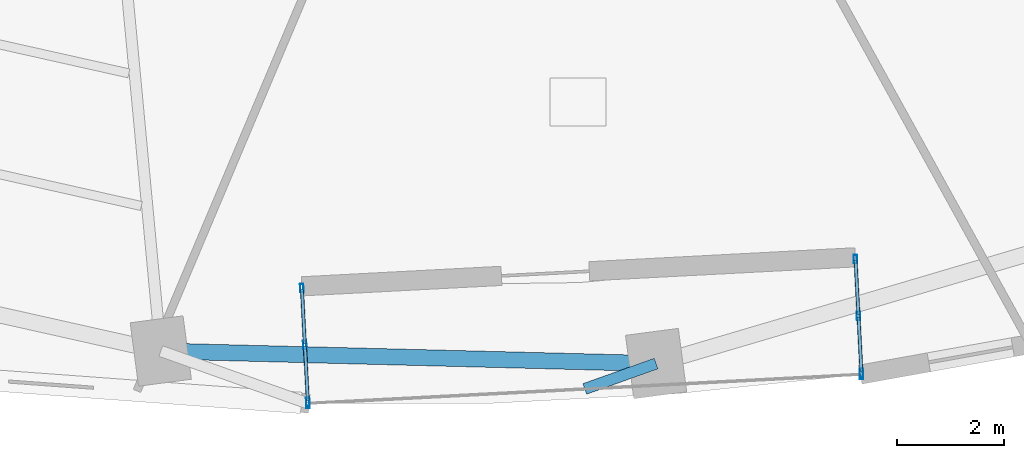
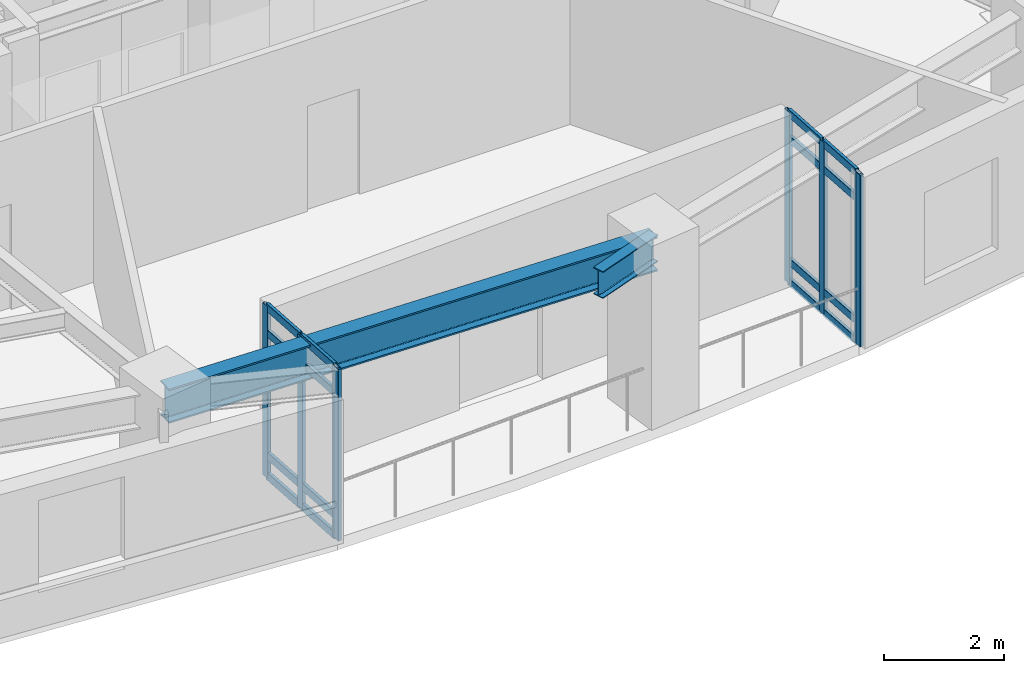
# One storey, part 2 of 11: 24 members, 2 beams, 2 elements without a shape of their own.
"""IFC4 building model written with IfcOpenShell, lengths in metres."""

from ifc_helpers import new_model, si_unit, direction, frame, origin, origin_2d, place, context, subcontext, project, spatial, hollow_rectangle, i_section, extrude, material, layer, layer_set, material_profile, profile_set, type_object, element, aggregate, save


model = new_model("IFC4")

# Units and contexts
model_context = context("Model", 3, precision=1e-05, world=origin(), true_north=direction((0.0, 1.0)))
body_context = subcontext(model_context, "Body", "Model", "MODEL_VIEW")
ifc_project = project(units=[si_unit("LENGTHUNIT", "METRE"), si_unit("AREAUNIT", "SQUARE_METRE"), si_unit("VOLUMEUNIT", "CUBIC_METRE"), si_unit("PLANEANGLEUNIT", "RADIAN"), si_unit("MASSUNIT", "GRAM", prefix="KILO")], contexts=[model_context])

# Site, building, storey
site_placement = place(None, origin())
site = spatial("IfcSite", under=ifc_project, at=site_placement, CompositionType="ELEMENT")
building_placement = place(site_placement, origin())
building = spatial("IfcBuilding", under=site, at=building_placement, Name="Ndelora Gate Hotel", CompositionType="ELEMENT")
storey_placement = place(building_placement, frame((0.0, 0.0, 45.5)))
storey = spatial("IfcBuildingStorey", under=building, at=storey_placement, Name="L10", CompositionType="ELEMENT", Elevation=45.5)

# Beams
ifc_material_1 = material(Name="Steel S355", Category="steel")
ifc_material_profile_1 = material_profile(ifc_material_1, i_section(OverallWidth=0.2099609375, OverallDepth=0.550048828125, WebThickness=0.010986328125, FlangeThickness=0.01708984375, FilletRadius=0.02392578125, at=origin_2d()), Name="IPE 550")
ifc_profile_set_1 = profile_set([ifc_material_profile_1], Name="Steel S355")
beam_type_1 = type_object("IfcBeamType", Name="BM-RAD-550", PredefinedType="BEAM", material=ifc_profile_set_1)
beam_1_placement = place(storey_placement, frame((2.2646484375, -17.20166015625, 3.22509765625), z_axis=(-0.942203837473, -0.335040189607, 0.0), x_axis=(0.335040189607, -0.942203837473, 0.0)))
element("IfcBeam", 1, at=beam_1_placement, inside=storey, type_object=beam_type_1, Name="L10 Sky-Garden Loggia Column Bracket 2", PredefinedType="BEAM", context=body_context, shape_type="SweptSolid", body=[
    extrude(i_section(OverallWidth=0.2099609375, OverallDepth=0.550048828125, WebThickness=0.010986328125, FlangeThickness=0.01708984375, FilletRadius=0.02392578125, at=origin_2d()), origin(), (0.0, 0.0, 1.0), 1.420166015625),
])
ifc_material_profile_2 = material_profile(ifc_material_1, i_section(OverallWidth=0.300048828125, OverallDepth=0.699951171875, WebThickness=0.01708984375, FlangeThickness=0.031982421875, FilletRadius=0.027099609375, at=origin_2d()), Name="HEB 700")
ifc_profile_set_2 = profile_set([ifc_material_profile_2], Name="Steel S355")
beam_type_2 = type_object("IfcBeamType", Name="BM-RING-700", PredefinedType="SPANDREL", material=ifc_profile_set_2)
beam_2_placement = place(storey_placement, frame((-7.027587890625, -16.96630859375, 3.14990234375), z_axis=(0.999679406439, -0.025319643409, 0.0), x_axis=(0.025319643409, 0.999679406439, 0.0)))
element("IfcBeam", 2, at=beam_2_placement, inside=storey, type_object=beam_type_2, Name="L10 Perimeter Spandrel Girder 6", PredefinedType="SPANDREL", context=body_context, shape_type="SweptSolid", body=[
    extrude(i_section(OverallWidth=0.300048828125, OverallDepth=0.699951171875, WebThickness=0.01708984375, FlangeThickness=0.031982421875, FilletRadius=0.027099609375, at=origin_2d()), origin(), (0.0, 0.0, 1.0), 9.295166015625),
])

# Curtain wall, members
ifc_material_2 = material(Name="Bronze Anodised Unitised Aluminium and Low-E Glass", Category="aluminium")
ifc_layer = layer(ifc_material_2, 0.199951171875)
ifc_layer_set = layer_set([ifc_layer], Name="Bronze Anodised Unitised Aluminium and Low-E Glass")
curtain_wall_type = type_object("IfcCurtainWallType", Name="CW-SYS-3", PredefinedType="NOTDEFINED", material=ifc_layer_set)
curtain_wall_1_placement = place(storey_placement, origin())
curtain_wall_1 = element("IfcCurtainWall", 3, at=curtain_wall_1_placement, inside=storey, type_object=curtain_wall_type, Name="L10 Sky-Garden Loggia Side Curtain Wall CW3-1", PredefinedType="NOTDEFINED")
ifc_material_3 = material(Name="Bronze Anodised Aluminium 6063-T6", Category="aluminium")
ifc_material_profile_3 = material_profile(ifc_material_3, hollow_rectangle(XDim=0.06494140625, YDim=0.159912109375, WallThickness=0.00390625, InnerFilletRadius=0.00390625, OuterFilletRadius=0.008056640625, at=origin_2d()), Name="ALU 160x65x4")
ifc_profile_set_3 = profile_set([ifc_material_profile_3], Name="Bronze Anodised Aluminium 6063-T6")
member_type_1 = type_object("IfcMemberType", Name="MB-CW-MUL150", PredefinedType="MULLION", material=ifc_profile_set_3)
member_1_placement = place(storey_placement, frame((-4.3798828125, -15.78515625, -0.00390625), z_axis=(0.0, 0.0, 1.0), x_axis=(0.998628106419, 0.052363203389, 0.0)))
member_1 = element("IfcMember", 4, at=member_1_placement, type_object=member_type_1, Name="CW3 mullion 1", PredefinedType="MULLION", context=body_context, shape_type="SweptSolid", body=[
    extrude(hollow_rectangle(XDim=0.06494140625, YDim=0.159912109375, WallThickness=0.00390625, InnerFilletRadius=0.00390625, OuterFilletRadius=0.008056640625, at=origin_2d()), origin(), (0.0, 0.0, 1.0), 3.5078125),
])
member_2_placement = place(storey_placement, frame((-4.323974609375, -16.851318359375, -0.00390625), z_axis=(0.0, 0.0, 1.0), x_axis=(0.998628106419, 0.052363203389, 0.0)))
member_2 = element("IfcMember", 5, at=member_2_placement, type_object=member_type_1, Name="CW3 mullion 2", PredefinedType="MULLION", context=body_context, shape_type="SweptSolid", body=[
    extrude(hollow_rectangle(XDim=0.06494140625, YDim=0.159912109375, WallThickness=0.00390625, InnerFilletRadius=0.00390625, OuterFilletRadius=0.008056640625, at=origin_2d()), origin(), (0.0, 0.0, 1.0), 3.5078125),
])
member_3_placement = place(storey_placement, frame((-4.26806640625, -17.917236328125, -0.00390625), z_axis=(0.0, 0.0, 1.0), x_axis=(0.998628106419, 0.052363203389, 0.0)))
member_3 = element("IfcMember", 6, at=member_3_placement, type_object=member_type_1, Name="CW3 mullion 3", PredefinedType="MULLION", context=body_context, shape_type="SweptSolid", body=[
    extrude(hollow_rectangle(XDim=0.06494140625, YDim=0.159912109375, WallThickness=0.00390625, InnerFilletRadius=0.00390625, OuterFilletRadius=0.008056640625, at=origin_2d()), origin(), (0.0, 0.0, 1.0), 3.5078125),
])

curtain_wall_2_placement = place(storey_placement, origin())
curtain_wall_2 = element("IfcCurtainWall", 7, at=curtain_wall_2_placement, inside=storey, type_object=curtain_wall_type, Name="L10 Sky-Garden Loggia Side Curtain Wall CW3-2", PredefinedType="NOTDEFINED")
member_4_placement = place(storey_placement, frame((6.11767578125, -17.373046875, -0.00390625), z_axis=(0.0, 0.0, 1.0), x_axis=(-0.998630482257, -0.052317873695, 0.0)))
member_4 = element("IfcMember", 8, at=member_4_placement, type_object=member_type_1, Name="CW3 mullion 1", PredefinedType="MULLION", context=body_context, shape_type="SweptSolid", body=[
    extrude(hollow_rectangle(XDim=0.06494140625, YDim=0.159912109375, WallThickness=0.00390625, InnerFilletRadius=0.00390625, OuterFilletRadius=0.008056640625, at=origin_2d()), origin(), (0.0, 0.0, 1.0), 3.5078125),
])
member_5_placement = place(storey_placement, frame((6.061767578125, -16.306884765625, -0.00390625), z_axis=(0.0, 0.0, 1.0), x_axis=(-0.998630482257, -0.052317873695, 0.0)))
member_5 = element("IfcMember", 9, at=member_5_placement, type_object=member_type_1, Name="CW3 mullion 2", PredefinedType="MULLION", context=body_context, shape_type="SweptSolid", body=[
    extrude(hollow_rectangle(XDim=0.06494140625, YDim=0.159912109375, WallThickness=0.00390625, InnerFilletRadius=0.00390625, OuterFilletRadius=0.008056640625, at=origin_2d()), origin(), (0.0, 0.0, 1.0), 3.5078125),
])
member_6_placement = place(storey_placement, frame((6.005859375, -15.240966796875, -0.00390625), z_axis=(0.0, 0.0, 1.0), x_axis=(-0.998630482257, -0.052317873695, 0.0)))
member_6 = element("IfcMember", 10, at=member_6_placement, type_object=member_type_1, Name="CW3 mullion 3", PredefinedType="MULLION", context=body_context, shape_type="SweptSolid", body=[
    extrude(hollow_rectangle(XDim=0.06494140625, YDim=0.159912109375, WallThickness=0.00390625, InnerFilletRadius=0.00390625, OuterFilletRadius=0.008056640625, at=origin_2d()), origin(), (0.0, 0.0, 1.0), 3.5078125),
])

# Member
ifc_material_profile_4 = material_profile(ifc_material_3, hollow_rectangle(XDim=0.070068359375, YDim=0.179931640625, WallThickness=0.0048828125, InnerFilletRadius=0.0048828125, OuterFilletRadius=0.010009765625, at=origin_2d()), Name="ALU 180x70x5")
ifc_profile_set_4 = profile_set([ifc_material_profile_4], Name="Bronze Anodised Aluminium 6063-T6")
member_type_2 = type_object("IfcMemberType", Name="MB-CW-MUL180", PredefinedType="MULLION", material=ifc_profile_set_4)
member_7_placement = place(storey_placement, frame((-4.266357421875, -17.94970703125, 0.0), z_axis=(0.0, 0.0, 1.0), x_axis=(1.0, 0.0, 0.0)))
member_7 = element("IfcMember", 11, at=member_7_placement, type_object=member_type_2, Name="L10 Sky-Garden Loggia Corner Mullion Post 1", PredefinedType="MULLION", context=body_context, shape_type="SweptSolid", body=[
    extrude(hollow_rectangle(XDim=0.070068359375, YDim=0.179931640625, WallThickness=0.0048828125, InnerFilletRadius=0.0048828125, OuterFilletRadius=0.010009765625, at=origin_2d()), origin(), (0.0, 0.0, 1.0), 3.5),
])

member_8_placement = place(storey_placement, frame((6.119384765625, -17.405517578125, 0.0), z_axis=(0.0, 0.0, 1.0), x_axis=(1.0, 0.0, 0.0)))
member_8 = element("IfcMember", 12, at=member_8_placement, type_object=member_type_2, Name="L10 Sky-Garden Loggia Corner Mullion Post 2", PredefinedType="MULLION", context=body_context, shape_type="SweptSolid", body=[
    extrude(hollow_rectangle(XDim=0.070068359375, YDim=0.179931640625, WallThickness=0.0048828125, InnerFilletRadius=0.0048828125, OuterFilletRadius=0.010009765625, at=origin_2d()), origin(), (0.0, 0.0, 1.0), 3.5),
])

ifc_material_profile_5 = material_profile(ifc_material_3, hollow_rectangle(XDim=0.06494140625, YDim=0.159912109375, WallThickness=0.00390625, InnerFilletRadius=0.00390625, OuterFilletRadius=0.008056640625, at=origin_2d()), Name="ALU 160x65x4")
ifc_profile_set_5 = profile_set([ifc_material_profile_5], Name="Bronze Anodised Aluminium 6063-T6")
member_type_3 = type_object("IfcMemberType", Name="MB-CW-TRN150", PredefinedType="USERDEFINED", material=ifc_profile_set_5)
member_9_placement = place(storey_placement, frame((-4.37841796875, -15.8115234375, 0.032470703125), z_axis=(0.052217819525, -0.998635719031, 0.0), x_axis=(0.998635719031, 0.052217819525, 0.0)))
member_9 = element("IfcMember", 13, at=member_9_placement, type_object=member_type_3, Name="CW3 transom 1.1", ObjectType="TRANSOM", PredefinedType="USERDEFINED", context=body_context, shape_type="SweptSolid", body=[
    extrude(hollow_rectangle(XDim=0.06494140625, YDim=0.159912109375, WallThickness=0.00390625, InnerFilletRadius=0.00390625, OuterFilletRadius=0.008056640625, at=origin_2d()), origin(), (0.0, 0.0, 1.0), 1.0146484375),
])

member_10_placement = place(storey_placement, frame((-4.37841796875, -15.8115234375, 0.449951171875), z_axis=(0.052217819525, -0.998635719031, 0.0), x_axis=(0.998635719031, 0.052217819525, 0.0)))
member_10 = element("IfcMember", 14, at=member_10_placement, type_object=member_type_3, Name="CW3 transom 1.2", ObjectType="TRANSOM", PredefinedType="USERDEFINED", context=body_context, shape_type="SweptSolid", body=[
    extrude(hollow_rectangle(XDim=0.06494140625, YDim=0.159912109375, WallThickness=0.00390625, InnerFilletRadius=0.00390625, OuterFilletRadius=0.008056640625, at=origin_2d()), origin(), (0.0, 0.0, 1.0), 1.0146484375),
])

member_11_placement = place(storey_placement, frame((-4.37841796875, -15.8115234375, 2.949951171875), z_axis=(0.052217819525, -0.998635719031, 0.0), x_axis=(0.998635719031, 0.052217819525, 0.0)))
member_11 = element("IfcMember", 15, at=member_11_placement, type_object=member_type_3, Name="CW3 transom 1.3", ObjectType="TRANSOM", PredefinedType="USERDEFINED", context=body_context, shape_type="SweptSolid", body=[
    extrude(hollow_rectangle(XDim=0.06494140625, YDim=0.159912109375, WallThickness=0.00390625, InnerFilletRadius=0.00390625, OuterFilletRadius=0.008056640625, at=origin_2d()), origin(), (0.0, 0.0, 1.0), 1.0146484375),
])

member_12_placement = place(storey_placement, frame((-4.37841796875, -15.8115234375, 3.467529296875), z_axis=(0.052217819525, -0.998635719031, 0.0), x_axis=(0.998635719031, 0.052217819525, 0.0)))
member_12 = element("IfcMember", 16, at=member_12_placement, type_object=member_type_3, Name="CW3 transom 1.4", ObjectType="TRANSOM", PredefinedType="USERDEFINED", context=body_context, shape_type="SweptSolid", body=[
    extrude(hollow_rectangle(XDim=0.06494140625, YDim=0.159912109375, WallThickness=0.00390625, InnerFilletRadius=0.00390625, OuterFilletRadius=0.008056640625, at=origin_2d()), origin(), (0.0, 0.0, 1.0), 1.0146484375),
])

member_13_placement = place(storey_placement, frame((-4.322509765625, -16.877685546875, 0.032470703125), z_axis=(0.052217819525, -0.998635719031, 0.0), x_axis=(0.998635719031, 0.052217819525, 0.0)))
member_13 = element("IfcMember", 17, at=member_13_placement, type_object=member_type_3, Name="CW3 transom 2.1", ObjectType="TRANSOM", PredefinedType="USERDEFINED", context=body_context, shape_type="SweptSolid", body=[
    extrude(hollow_rectangle(XDim=0.06494140625, YDim=0.159912109375, WallThickness=0.00390625, InnerFilletRadius=0.00390625, OuterFilletRadius=0.008056640625, at=origin_2d()), origin(), (0.0, 0.0, 1.0), 1.0146484375),
])

member_14_placement = place(storey_placement, frame((-4.322509765625, -16.877685546875, 0.449951171875), z_axis=(0.052217819525, -0.998635719031, 0.0), x_axis=(0.998635719031, 0.052217819525, 0.0)))
member_14 = element("IfcMember", 18, at=member_14_placement, type_object=member_type_3, Name="CW3 transom 2.2", ObjectType="TRANSOM", PredefinedType="USERDEFINED", context=body_context, shape_type="SweptSolid", body=[
    extrude(hollow_rectangle(XDim=0.06494140625, YDim=0.159912109375, WallThickness=0.00390625, InnerFilletRadius=0.00390625, OuterFilletRadius=0.008056640625, at=origin_2d()), origin(), (0.0, 0.0, 1.0), 1.0146484375),
])

member_15_placement = place(storey_placement, frame((-4.322509765625, -16.877685546875, 2.949951171875), z_axis=(0.052217819525, -0.998635719031, 0.0), x_axis=(0.998635719031, 0.052217819525, 0.0)))
member_15 = element("IfcMember", 19, at=member_15_placement, type_object=member_type_3, Name="CW3 transom 2.3", ObjectType="TRANSOM", PredefinedType="USERDEFINED", context=body_context, shape_type="SweptSolid", body=[
    extrude(hollow_rectangle(XDim=0.06494140625, YDim=0.159912109375, WallThickness=0.00390625, InnerFilletRadius=0.00390625, OuterFilletRadius=0.008056640625, at=origin_2d()), origin(), (0.0, 0.0, 1.0), 1.0146484375),
])

member_16_placement = place(storey_placement, frame((-4.322509765625, -16.877685546875, 3.467529296875), z_axis=(0.052217819525, -0.998635719031, 0.0), x_axis=(0.998635719031, 0.052217819525, 0.0)))
member_16 = element("IfcMember", 20, at=member_16_placement, type_object=member_type_3, Name="CW3 transom 2.4", ObjectType="TRANSOM", PredefinedType="USERDEFINED", context=body_context, shape_type="SweptSolid", body=[
    extrude(hollow_rectangle(XDim=0.06494140625, YDim=0.159912109375, WallThickness=0.00390625, InnerFilletRadius=0.00390625, OuterFilletRadius=0.008056640625, at=origin_2d()), origin(), (0.0, 0.0, 1.0), 1.0146484375),
])

aggregate(curtain_wall_1, [member_1, member_2, member_3, member_9, member_10, member_11, member_12, member_13, member_14, member_15, member_16, member_7])

member_17_placement = place(storey_placement, frame((6.1162109375, -17.346435546875, 0.032470703125), z_axis=(-0.052217819525, 0.998635719031, 0.0), x_axis=(-0.998635719031, -0.052217819525, 0.0)))
member_17 = element("IfcMember", 21, at=member_17_placement, type_object=member_type_3, Name="CW3 transom 1.1", ObjectType="TRANSOM", PredefinedType="USERDEFINED", context=body_context, shape_type="SweptSolid", body=[
    extrude(hollow_rectangle(XDim=0.06494140625, YDim=0.159912109375, WallThickness=0.00390625, InnerFilletRadius=0.00390625, OuterFilletRadius=0.008056640625, at=origin_2d()), origin(), (0.0, 0.0, 1.0), 1.0146484375),
])

member_18_placement = place(storey_placement, frame((6.1162109375, -17.346435546875, 0.449951171875), z_axis=(-0.052217819525, 0.998635719031, 0.0), x_axis=(-0.998635719031, -0.052217819525, 0.0)))
member_18 = element("IfcMember", 22, at=member_18_placement, type_object=member_type_3, Name="CW3 transom 1.2", ObjectType="TRANSOM", PredefinedType="USERDEFINED", context=body_context, shape_type="SweptSolid", body=[
    extrude(hollow_rectangle(XDim=0.06494140625, YDim=0.159912109375, WallThickness=0.00390625, InnerFilletRadius=0.00390625, OuterFilletRadius=0.008056640625, at=origin_2d()), origin(), (0.0, 0.0, 1.0), 1.0146484375),
])

member_19_placement = place(storey_placement, frame((6.1162109375, -17.346435546875, 2.949951171875), z_axis=(-0.052217819525, 0.998635719031, 0.0), x_axis=(-0.998635719031, -0.052217819525, 0.0)))
member_19 = element("IfcMember", 23, at=member_19_placement, type_object=member_type_3, Name="CW3 transom 1.3", ObjectType="TRANSOM", PredefinedType="USERDEFINED", context=body_context, shape_type="SweptSolid", body=[
    extrude(hollow_rectangle(XDim=0.06494140625, YDim=0.159912109375, WallThickness=0.00390625, InnerFilletRadius=0.00390625, OuterFilletRadius=0.008056640625, at=origin_2d()), origin(), (0.0, 0.0, 1.0), 1.0146484375),
])

member_20_placement = place(storey_placement, frame((6.1162109375, -17.346435546875, 3.467529296875), z_axis=(-0.052217819525, 0.998635719031, 0.0), x_axis=(-0.998635719031, -0.052217819525, 0.0)))
member_20 = element("IfcMember", 24, at=member_20_placement, type_object=member_type_3, Name="CW3 transom 1.4", ObjectType="TRANSOM", PredefinedType="USERDEFINED", context=body_context, shape_type="SweptSolid", body=[
    extrude(hollow_rectangle(XDim=0.06494140625, YDim=0.159912109375, WallThickness=0.00390625, InnerFilletRadius=0.00390625, OuterFilletRadius=0.008056640625, at=origin_2d()), origin(), (0.0, 0.0, 1.0), 1.0146484375),
])

member_21_placement = place(storey_placement, frame((6.060302734375, -16.280517578125, 0.032470703125), z_axis=(-0.052217819525, 0.998635719031, 0.0), x_axis=(-0.998635719031, -0.052217819525, 0.0)))
member_21 = element("IfcMember", 25, at=member_21_placement, type_object=member_type_3, Name="CW3 transom 2.1", ObjectType="TRANSOM", PredefinedType="USERDEFINED", context=body_context, shape_type="SweptSolid", body=[
    extrude(hollow_rectangle(XDim=0.06494140625, YDim=0.159912109375, WallThickness=0.00390625, InnerFilletRadius=0.00390625, OuterFilletRadius=0.008056640625, at=origin_2d()), origin(), (0.0, 0.0, 1.0), 1.0146484375),
])

member_22_placement = place(storey_placement, frame((6.060302734375, -16.280517578125, 0.449951171875), z_axis=(-0.052217819525, 0.998635719031, 0.0), x_axis=(-0.998635719031, -0.052217819525, 0.0)))
member_22 = element("IfcMember", 26, at=member_22_placement, type_object=member_type_3, Name="CW3 transom 2.2", ObjectType="TRANSOM", PredefinedType="USERDEFINED", context=body_context, shape_type="SweptSolid", body=[
    extrude(hollow_rectangle(XDim=0.06494140625, YDim=0.159912109375, WallThickness=0.00390625, InnerFilletRadius=0.00390625, OuterFilletRadius=0.008056640625, at=origin_2d()), origin(), (0.0, 0.0, 1.0), 1.0146484375),
])

member_23_placement = place(storey_placement, frame((6.060302734375, -16.280517578125, 2.949951171875), z_axis=(-0.052217819525, 0.998635719031, 0.0), x_axis=(-0.998635719031, -0.052217819525, 0.0)))
member_23 = element("IfcMember", 27, at=member_23_placement, type_object=member_type_3, Name="CW3 transom 2.3", ObjectType="TRANSOM", PredefinedType="USERDEFINED", context=body_context, shape_type="SweptSolid", body=[
    extrude(hollow_rectangle(XDim=0.06494140625, YDim=0.159912109375, WallThickness=0.00390625, InnerFilletRadius=0.00390625, OuterFilletRadius=0.008056640625, at=origin_2d()), origin(), (0.0, 0.0, 1.0), 1.0146484375),
])

member_24_placement = place(storey_placement, frame((6.060302734375, -16.280517578125, 3.467529296875), z_axis=(-0.052217819525, 0.998635719031, 0.0), x_axis=(-0.998635719031, -0.052217819525, 0.0)))
member_24 = element("IfcMember", 28, at=member_24_placement, type_object=member_type_3, Name="CW3 transom 2.4", ObjectType="TRANSOM", PredefinedType="USERDEFINED", context=body_context, shape_type="SweptSolid", body=[
    extrude(hollow_rectangle(XDim=0.06494140625, YDim=0.159912109375, WallThickness=0.00390625, InnerFilletRadius=0.00390625, OuterFilletRadius=0.008056640625, at=origin_2d()), origin(), (0.0, 0.0, 1.0), 1.0146484375),
])

aggregate(curtain_wall_2, [member_4, member_5, member_6, member_17, member_18, member_19, member_20, member_21, member_22, member_23, member_24, member_8])

save(model, "model.ifc")
